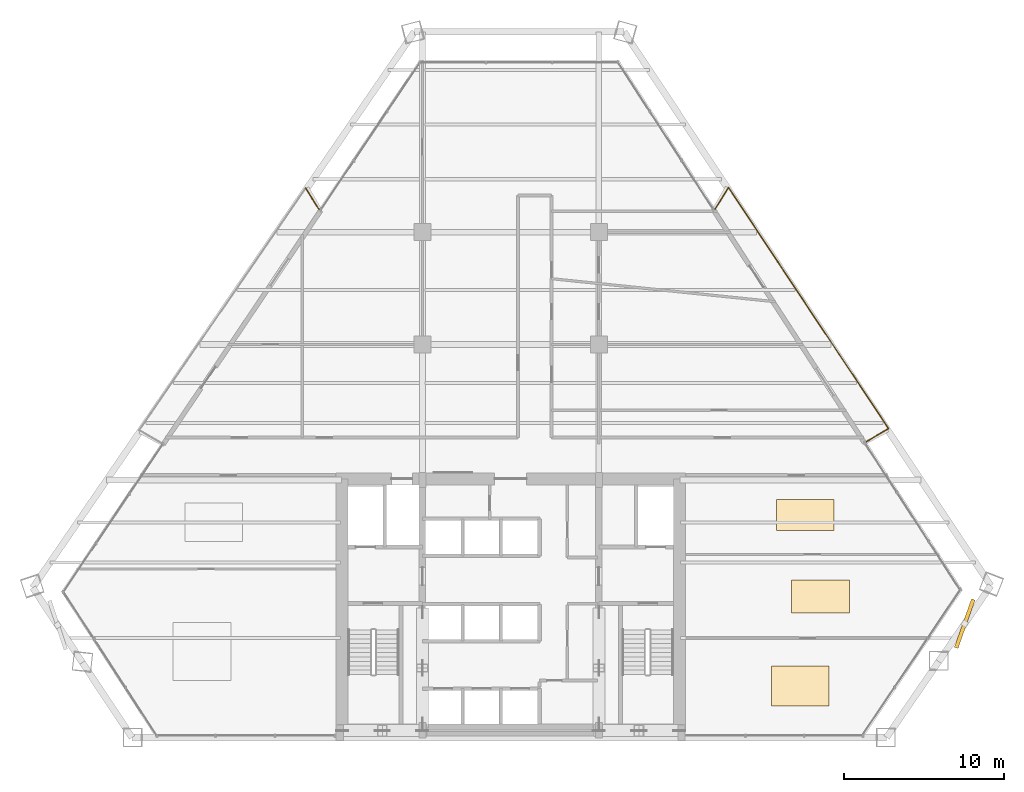
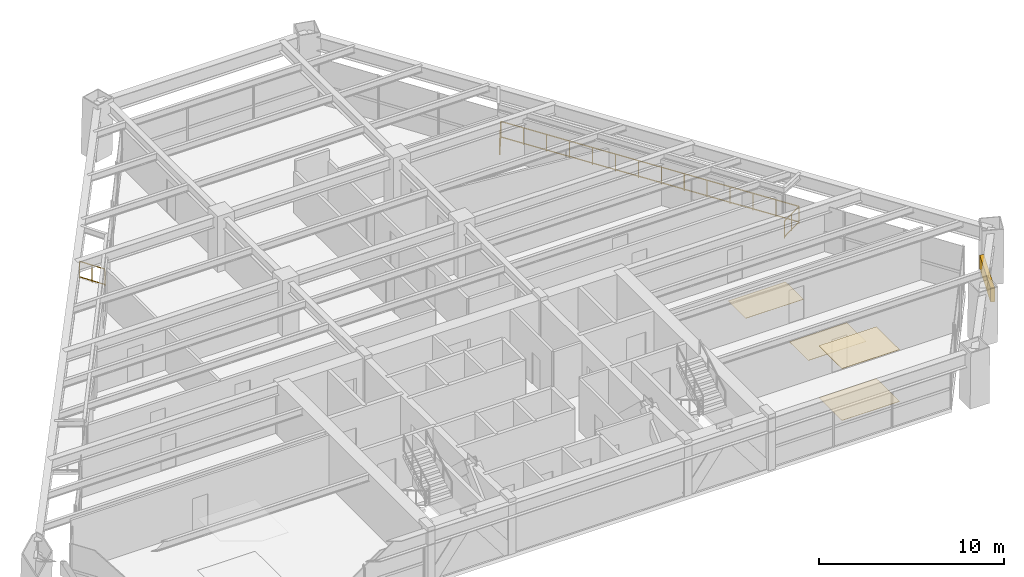
# One storey, part 14 of 14: 4 coverings, 4 railings, 1 shading device.
"""IFC4 building model written with IfcOpenShell, lengths in metres."""

import ifcopenshell
import ifcopenshell.guid

model = None  # the IFC model being written
_history = None  # IfcOwnerHistory: only IFC2X3 demands one
_inside = {}  # id of a spatial element -> (the spatial element, [elements in it])
_under = {}  # id of a project, library or spatial element -> (it, [spatial elements below it])
_declared = {}  # id of a project -> (the project, [libraries it declares])
_typed = {}  # id of a type object -> (the type object, [elements of that type])
_made_of = {}  # id of a material, layer set ... -> (it, [elements and type objects made of it])


def new_model(schema):
    """Start an empty IFC model of exactly this schema.

    Asked for "IFC4X3", IfcOpenShell would pick the latest addendum, in which some entities
    have other attributes; the version numbers below select the first issue.
    IFC2X3 requires an IfcOwnerHistory on every rooted entity: one is made here for all.
    """
    global model, _history
    if schema == "IFC4X3":
        model = ifcopenshell.file(schema_version=(4, 3, 0, 0))
    else:
        model = ifcopenshell.file(schema=schema)
    _inside.clear()
    _under.clear()
    _declared.clear()
    _typed.clear()
    _made_of.clear()
    _history = None
    if model.schema == "IFC2X3":
        org = make("IfcOrganization", Name="unknown")
        user = make(
            "IfcPersonAndOrganization",
            ThePerson=make("IfcPerson", FamilyName="unknown"),
            TheOrganization=org,
        )
        app = make(
            "IfcApplication",
            ApplicationDeveloper=org,
            Version="unknown",
            ApplicationFullName="unknown",
            ApplicationIdentifier="unknown",
        )
        _history = make(
            "IfcOwnerHistory",
            OwningUser=user,
            OwningApplication=app,
            ChangeAction="ADDED",
            CreationDate=0,
        )
    return model


def make(cls, **values):
    """One entity of the class cls with the attributes given. An attribute that is None is left unset."""
    return model.create_entity(
        cls, **{name: value for name, value in values.items() if value is not None}
    )


def rooted(cls, **values):
    """An entity with a GlobalId (a new one), such as an element, a storey or a relation."""
    return make(cls, GlobalId=ifcopenshell.guid.new(), OwnerHistory=_history, **values)


def si_unit(unit_type, name, prefix=None):
    """IfcSIUnit, for example si_unit("LENGTHUNIT", "METRE", prefix="MILLI")."""
    return make("IfcSIUnit", UnitType=unit_type, Prefix=prefix, Name=name)


def assignment(units):
    """IfcUnitAssignment: the units of a project."""
    return None if units is None else make("IfcUnitAssignment", Units=units)


def point(xyz):
    """IfcCartesianPoint."""
    return None if xyz is None else make("IfcCartesianPoint", Coordinates=xyz)


def direction(xyz):
    """IfcDirection."""
    return None if xyz is None else make("IfcDirection", DirectionRatios=xyz)


def frame(location, z_axis=None, x_axis=None):
    """IfcAxis2Placement3D, a coordinate frame: its origin and axes. An axis left out is left unset."""
    return make(
        "IfcAxis2Placement3D",
        Location=point(location),
        Axis=direction(z_axis),
        RefDirection=direction(x_axis),
    )


def frame_2d(location, x_axis=None):
    """IfcAxis2Placement2D, a coordinate frame in the plane: its origin and x axis."""
    return make(
        "IfcAxis2Placement2D", Location=point(location), RefDirection=direction(x_axis)
    )


def origin():
    """The frame at (0, 0, 0) with its axes left unset."""
    return frame((0.0, 0.0, 0.0))


def origin_2d():
    """The frame at (0, 0) in the plane with its x axis left unset."""
    return frame_2d((0.0, 0.0))


def place(relative_to, where):
    """IfcLocalPlacement: puts the frame where relative to a parent placement (None: the world)."""
    return make(
        "IfcLocalPlacement", PlacementRelTo=relative_to, RelativePlacement=where
    )


def context(
    kind, dimensions, precision=None, world=None, true_north=None, identifier=None
):
    """IfcGeometricRepresentationContext, for example the 3D "Model" context."""
    return make(
        "IfcGeometricRepresentationContext",
        ContextIdentifier=identifier,
        ContextType=kind,
        CoordinateSpaceDimension=dimensions,
        Precision=precision,
        WorldCoordinateSystem=world,
        TrueNorth=true_north,
    )


def subcontext(parent, identifier, kind, view, scale=None):
    """IfcGeometricRepresentationSubContext, for example "Body" below "Model"."""
    return make(
        "IfcGeometricRepresentationSubContext",
        ContextIdentifier=identifier,
        ContextType=kind,
        ParentContext=parent,
        TargetScale=scale,
        TargetView=view,
    )


def project(units=None, contexts=None):
    """IfcProject with its units and contexts."""
    return rooted(
        "IfcProject",
        Name="project",
        RepresentationContexts=contexts,
        UnitsInContext=assignment(units),
    )


def spatial(cls, under=None, at=None, **own):
    """A site, building, storey or space (cls), placed at a placement, below another one or the project."""
    s = rooted(cls, ObjectPlacement=at, **own)
    if under is not None:
        _under.setdefault(under.id(), (under, []))[1].append(s)
    return s


def profile(cls, at=None, kind="AREA", **sizes):
    """A parametric profile (cls). Its sizes go by their IFC names, for example OverallWidth=200.0."""
    return make(cls, ProfileType=kind, Position=at, **sizes)


def rectangle(**sizes):
    """IfcRectangleProfileDef."""
    return profile("IfcRectangleProfileDef", **sizes)


def extrude(swept, where, along, depth):
    """IfcExtrudedAreaSolid: the profile swept, set in the frame where, extruded along a direction by depth."""
    return make(
        "IfcExtrudedAreaSolid",
        SweptArea=swept,
        Position=where,
        ExtrudedDirection=direction(along),
        Depth=depth,
    )


def shape(context_of_items, identifier, shape_type, items):
    """IfcShapeRepresentation: the items that make up one representation, for example the "Body"."""
    return make(
        "IfcShapeRepresentation",
        ContextOfItems=context_of_items,
        RepresentationIdentifier=identifier,
        RepresentationType=shape_type,
        Items=items,
    )


def source(mapping_origin, context_of_items, identifier, shape_type, items):
    """IfcRepresentationMap: a shape defined once, which mapped items show again and again."""
    return make(
        "IfcRepresentationMap",
        MappingOrigin=mapping_origin,
        MappedRepresentation=shape(context_of_items, identifier, shape_type, items),
    )


def transform(
    local_origin,
    x_axis=None,
    y_axis=None,
    z_axis=None,
    scale=None,
    scale2=None,
    scale3=None,
    uniform=True,
):
    """IfcCartesianTransformationOperator3D, or its non-uniform kind. x_axis, y_axis, z_axis: its Axis1, 2, 3."""
    if uniform:
        return make(
            "IfcCartesianTransformationOperator3D",
            Axis1=direction(x_axis),
            Axis2=direction(y_axis),
            LocalOrigin=point(local_origin),
            Scale=scale,
            Axis3=direction(z_axis),
        )
    return make(
        "IfcCartesianTransformationOperator3DnonUniform",
        Axis1=direction(x_axis),
        Axis2=direction(y_axis),
        LocalOrigin=point(local_origin),
        Scale=scale,
        Axis3=direction(z_axis),
        Scale2=scale2,
        Scale3=scale3,
    )


def mapped(mapping_source, mapping_target):
    """IfcMappedItem: shows the shape of a source again, moved by a transform."""
    return make(
        "IfcMappedItem", MappingSource=mapping_source, MappingTarget=mapping_target
    )


def material(Name=None, Category=None):
    """IfcMaterial."""
    return make("IfcMaterial", Name=Name, Category=Category)


def layer(
    of_material, thickness, ventilated=None, Name=None, Category=None, Priority=None
):
    """IfcMaterialLayer: one layer of a wall or slab, of a material (None: an air gap)."""
    return make(
        "IfcMaterialLayer",
        Material=of_material,
        LayerThickness=thickness,
        IsVentilated=ventilated,
        Name=Name,
        Category=Category,
        Priority=Priority,
    )


def layer_set(layers, Name=None):
    """IfcMaterialLayerSet."""
    return make("IfcMaterialLayerSet", MaterialLayers=layers, LayerSetName=Name)


def made_of(thing, what):
    """Note that an element or type object is made of a material, layer set ...; save() writes the relation."""
    if what is not None:
        _made_of.setdefault(what.id(), (what, []))[1].append(thing)
    return thing


def type_object(cls, material=None, **own):
    """A type object (cls), such as IfcWallType, which elements share."""
    return made_of(rooted(cls, **own), material)


def type_shapes(of_type, sources):
    """Give a type object the sources (RepresentationMaps) that its elements show as mapped items."""
    of_type.RepresentationMaps = sources


def element(
    cls,
    number,
    at=None,
    inside=None,
    cuts=None,
    type_object=None,
    material=None,
    context=None,
    identifier="Body",
    shape_type=None,
    held_by="IfcProductDefinitionShape",
    body=None,
    shapes=None,
    **own,
):
    """One element of the class cls, such as IfcWall. Its Tag is "e" and its number.

    at: its placement. inside: the storey or other place that contains it. cuts: it is an
    opening in that element (IfcRelVoidsElement). A single representation is given by context,
    identifier, shape_type and body (its items); several are given by shapes. held_by: the class
    of the entity that holds the representations. save() writes the other relations.
    """
    e = rooted(cls, Tag="e%d" % number, ObjectPlacement=at, **own)
    if body is not None:
        shapes = [shape(context, identifier, shape_type, body)]
    if shapes is not None:
        e.Representation = make(held_by, Representations=shapes)
    if inside is not None:
        _inside.setdefault(inside.id(), (inside, []))[1].append(e)
    if cuts is not None:
        rooted(
            "IfcRelVoidsElement", RelatingBuildingElement=cuts, RelatedOpeningElement=e
        )
    if type_object is not None:
        _typed.setdefault(type_object.id(), (type_object, []))[1].append(e)
    return made_of(e, material)


def aggregate(whole, parts):
    """IfcRelAggregates: a whole, such as a stair, and the parts it consists of."""
    return rooted("IfcRelAggregates", RelatingObject=whole, RelatedObjects=parts)


def save(model, path):
    """Write the relations noted so far, then the file.

    IfcRelAggregates (storeys below a building ...), IfcRelContainedInSpatialStructure (elements
    in a storey), IfcRelDefinesByType, IfcRelAssociatesMaterial and IfcRelDeclares: one each for
    every whole, place, type object, material and project.
    """
    for whole, parts in _under.values():
        aggregate(whole, parts)
    for where, things in _inside.values():
        rooted(
            "IfcRelContainedInSpatialStructure",
            RelatedElements=things,
            RelatingStructure=where,
        )
    for kind, things in _typed.values():
        rooted("IfcRelDefinesByType", RelatedObjects=things, RelatingType=kind)
    for what, things in _made_of.values():
        rooted("IfcRelAssociatesMaterial", RelatedObjects=things, RelatingMaterial=what)
    for by, libraries in _declared.values():
        rooted("IfcRelDeclares", RelatingContext=by, RelatedDefinitions=libraries)
    model.write(path)


model = new_model("IFC4")

# Units and contexts
model_context = context("Model", 3, precision=1e-05, world=origin(), true_north=direction((0.0, 1.0)))
body_context = subcontext(model_context, "Body", "Model", "MODEL_VIEW")
ifc_project = project(units=[si_unit("LENGTHUNIT", "METRE"), si_unit("AREAUNIT", "SQUARE_METRE"), si_unit("VOLUMEUNIT", "CUBIC_METRE"), si_unit("PLANEANGLEUNIT", "RADIAN"), si_unit("MASSUNIT", "GRAM", prefix="KILO")], contexts=[model_context])

# Site, building, storey
site_placement = place(None, origin())
site = spatial("IfcSite", under=ifc_project, at=site_placement, CompositionType="ELEMENT")
building_placement = place(site_placement, origin())
building = spatial("IfcBuilding", under=site, at=building_placement, Name="Varnakhor Terracotta Tower", CompositionType="ELEMENT")
storey_placement = place(building_placement, frame((0.0, 0.0, 91.39990234375)))
storey = spatial("IfcBuildingStorey", under=building, at=storey_placement, Name="L22", CompositionType="ELEMENT", Elevation=91.39990234375)

# Railings
ifc_material_1 = material(Name="Stainless Steel & Laminated Glass Guardrail", Category="steel")
railing_type = type_object("IfcRailingType", Name="RLG-LOGGIA-GUARD-1150", PredefinedType="GUARDRAIL", material=ifc_material_1)
railing_1_placement = place(storey_placement, frame((12.757568359375, 32.960693359375, 0.0)))
element("IfcRailing", 1, at=railing_1_placement, inside=storey, type_object=railing_type, Name="L22 E Loggia Glass Guard 1", PredefinedType="GUARDRAIL", context=body_context, shape_type="SweptSolid", body=[
    extrude(rectangle(XDim=0.048095703125, YDim=0.048095703125, at=origin_2d()), frame((0.0, 0.0, 1.1259765625), z_axis=(0.529914332127, 0.848051178058, 0.0), x_axis=(-0.848051178058, 0.529914332127, 0.0)), (0.0, 0.0, 1.0), 1.556396484375),
    extrude(rectangle(XDim=0.048095703125, YDim=0.048095703125, at=origin_2d()), frame((0.0, 0.0, 0.10009765625), z_axis=(0.529914332127, 0.848051178058, 0.0), x_axis=(-0.848051178058, 0.529914332127, 0.0)), (0.0, 0.0, 1.0), 1.556396484375),
    extrude(rectangle(XDim=0.0419921875, YDim=0.0419921875, at=origin_2d()), origin(), (0.0, 0.0, 1.0), 1.101806640625),
    extrude(rectangle(XDim=0.0419921875, YDim=0.0419921875, at=origin_2d()), frame((0.412353515625, 0.659912109375, 0.0)), (0.0, 0.0, 1.0), 1.101806640625),
    extrude(rectangle(XDim=0.0419921875, YDim=0.0419921875, at=origin_2d()), frame((0.82470703125, 1.31982421875, 0.0)), (0.0, 0.0, 1.0), 1.101806640625),
])
railing_2_placement = place(storey_placement, frame((13.582275390625, 34.280517578125, 0.0)))
element("IfcRailing", 2, at=railing_2_placement, inside=storey, type_object=railing_type, Name="L22 E Loggia Glass Guard 2", PredefinedType="GUARDRAIL", context=body_context, shape_type="SweptSolid", body=[
    extrude(rectangle(XDim=0.048095703125, YDim=0.048095703125, at=origin_2d()), frame((0.0, 0.0, 1.1259765625), z_axis=(0.552927646461, -0.833229270837, 0.0), x_axis=(0.833229270837, 0.552927646461, 0.0)), (0.0, 0.0, 1.0), 18.03466796875),
    extrude(rectangle(XDim=0.048095703125, YDim=0.048095703125, at=origin_2d()), frame((0.0, 0.0, 0.10009765625), z_axis=(0.552927646461, -0.833229270837, 0.0), x_axis=(0.833229270837, 0.552927646461, 0.0)), (0.0, 0.0, 1.0), 18.03466796875),
    extrude(rectangle(XDim=0.0419921875, YDim=0.0419921875, at=origin_2d()), origin(), (0.0, 0.0, 1.0), 1.101806640625),
    extrude(rectangle(XDim=0.0419921875, YDim=0.0419921875, at=origin_2d()), frame((0.76708984375, -1.156005859375, 0.0)), (0.0, 0.0, 1.0), 1.101806640625),
    extrude(rectangle(XDim=0.0419921875, YDim=0.0419921875, at=origin_2d()), frame((1.5341796875, -2.311767578125, 0.0)), (0.0, 0.0, 1.0), 1.101806640625),
    extrude(rectangle(XDim=0.0419921875, YDim=0.0419921875, at=origin_2d()), frame((2.30126953125, -3.4677734375, 0.0)), (0.0, 0.0, 1.0), 1.101806640625),
    extrude(rectangle(XDim=0.0419921875, YDim=0.0419921875, at=origin_2d()), frame((3.068359375, -4.623779296875, 0.0)), (0.0, 0.0, 1.0), 1.101806640625),
    extrude(rectangle(XDim=0.0419921875, YDim=0.0419921875, at=origin_2d()), frame((3.83544921875, -5.779541015625, 0.0)), (0.0, 0.0, 1.0), 1.101806640625),
    extrude(rectangle(XDim=0.0419921875, YDim=0.0419921875, at=origin_2d()), frame((4.6025390625, -6.935546875, 0.0)), (0.0, 0.0, 1.0), 1.101806640625),
    extrude(rectangle(XDim=0.0419921875, YDim=0.0419921875, at=origin_2d()), frame((5.369384765625, -8.091552734375, 0.0)), (0.0, 0.0, 1.0), 1.101806640625),
    extrude(rectangle(XDim=0.0419921875, YDim=0.0419921875, at=origin_2d()), frame((6.136474609375, -9.24755859375, 0.0)), (0.0, 0.0, 1.0), 1.101806640625),
    extrude(rectangle(XDim=0.0419921875, YDim=0.0419921875, at=origin_2d()), frame((6.903564453125, -10.4033203125, 0.0)), (0.0, 0.0, 1.0), 1.101806640625),
    extrude(rectangle(XDim=0.0419921875, YDim=0.0419921875, at=origin_2d()), frame((7.670654296875, -11.559326171875, 0.0)), (0.0, 0.0, 1.0), 1.101806640625),
    extrude(rectangle(XDim=0.0419921875, YDim=0.0419921875, at=origin_2d()), frame((8.437744140625, -12.71533203125, 0.0)), (0.0, 0.0, 1.0), 1.101806640625),
    extrude(rectangle(XDim=0.0419921875, YDim=0.0419921875, at=origin_2d()), frame((9.204833984375, -13.87109375, 0.0)), (0.0, 0.0, 1.0), 1.101806640625),
    extrude(rectangle(XDim=0.0419921875, YDim=0.0419921875, at=origin_2d()), frame((9.971923828125, -15.027099609375, 0.0)), (0.0, 0.0, 1.0), 1.101806640625),
])
railing_3_placement = place(storey_placement, frame((23.55419921875, 19.25341796875, 0.0)))
element("IfcRailing", 3, at=railing_3_placement, inside=storey, type_object=railing_type, Name="L22 E Loggia Glass Guard 3", PredefinedType="GUARDRAIL", context=body_context, shape_type="SweptSolid", body=[
    extrude(rectangle(XDim=0.048095703125, YDim=0.048095703125, at=origin_2d()), frame((0.0, 0.0, 1.1259765625), z_axis=(-0.860573953054, -0.509325506258, 0.0), x_axis=(0.509325506258, -0.860573953054, 0.0)), (0.0, 0.0, 1.0), 1.60009765625),
    extrude(rectangle(XDim=0.048095703125, YDim=0.048095703125, at=origin_2d()), frame((0.0, 0.0, 0.10009765625), z_axis=(-0.860573953054, -0.509325506258, 0.0), x_axis=(0.509325506258, -0.860573953054, 0.0)), (0.0, 0.0, 1.0), 1.60009765625),
    extrude(rectangle(XDim=0.0419921875, YDim=0.0419921875, at=origin_2d()), origin(), (0.0, 0.0, 1.0), 1.101806640625),
    extrude(rectangle(XDim=0.0419921875, YDim=0.0419921875, at=origin_2d()), frame((-0.6884765625, -0.407470703125, 0.0)), (0.0, 0.0, 1.0), 1.101806640625),
    extrude(rectangle(XDim=0.0419921875, YDim=0.0419921875, at=origin_2d()), frame((-1.376953125, -0.81494140625, 0.0)), (0.0, 0.0, 1.0), 1.101806640625),
])
railing_4_placement = place(storey_placement, frame((-12.780029296875, 34.248046875, 0.0)))
element("IfcRailing", 4, at=railing_4_placement, inside=storey, type_object=railing_type, Name="L22 W Loggia Glass Guard 3", PredefinedType="GUARDRAIL", context=body_context, shape_type="SweptSolid", body=[
    extrude(rectangle(XDim=0.048095703125, YDim=0.048095703125, at=origin_2d()), frame((0.0, 0.0, 1.1259765625), z_axis=(0.531069666147, -0.847328159392, 0.0), x_axis=(0.847328159392, 0.531069666147, 0.0)), (0.0, 0.0, 1.0), 1.55712890625),
    extrude(rectangle(XDim=0.048095703125, YDim=0.048095703125, at=origin_2d()), frame((0.0, 0.0, 0.10009765625), z_axis=(0.531069666147, -0.847328159392, 0.0), x_axis=(0.847328159392, 0.531069666147, 0.0)), (0.0, 0.0, 1.0), 1.55712890625),
    extrude(rectangle(XDim=0.0419921875, YDim=0.0419921875, at=origin_2d()), origin(), (0.0, 0.0, 1.0), 1.101806640625),
    extrude(rectangle(XDim=0.0419921875, YDim=0.0419921875, at=origin_2d()), frame((0.41357421875, -0.65966796875, 0.0)), (0.0, 0.0, 1.0), 1.101806640625),
    extrude(rectangle(XDim=0.0419921875, YDim=0.0419921875, at=origin_2d()), frame((0.826904296875, -1.3193359375, 0.0)), (0.0, 0.0, 1.0), 1.101806640625),
])

# Shading device
ifc_material_2 = material(Name="Extruded Architectural Terracotta Screen", Category="masonry")
shading_device_type = type_object("IfcShadingDeviceType", Name="TERRACOTTA SOLAR SCREEN E", PredefinedType="USERDEFINED", material=ifc_material_2)
shared_shape_1 = source(origin(), body_context, "Body", "SweptSolid", [
    extrude(rectangle(XDim=3.199951171875, YDim=0.239990234375, at=origin_2d()), origin(), (0.0, 0.0, 1.0), 0.919921875),
])
type_shapes(shading_device_type, [shared_shape_1])
shading_device_placement = place(storey_placement, frame((28.309326171875, 7.096435546875, 1.6181640625), z_axis=(0.0, 0.0, 1.0), x_axis=(0.333346157857, 0.94280450733, 0.0)))
element("IfcShadingDevice", 5, at=shading_device_placement, inside=storey, type_object=shading_device_type, Name="L22 E Terracotta Solar Screen", ObjectType="SCREEN", PredefinedType="USERDEFINED", context=body_context, shape_type="MappedRepresentation", body=[
    mapped(shared_shape_1, transform((0.0, 0.0, 0.0), scale=1.0)),
])

# Coverings
ifc_material_3 = material(Name="Honed Riyadh Limestone Flooring", Category="masonry")
ifc_layer_1 = layer(ifc_material_3, 0.030029296875, Name="Honed Riyadh Limestone Flooring")
ifc_layer_set_1 = layer_set([ifc_layer_1], Name="Honed Riyadh Limestone Flooring")
covering_type_1 = type_object("IfcCoveringType", Name="COV-FLOOR-LIMESTONE", PredefinedType="FLOORING", material=ifc_layer_set_1)
shared_shape_2 = source(origin(), body_context, "Body", "SweptSolid", [
    extrude(rectangle(XDim=3.60009765625, YDim=2.4990234375, at=origin_2d()), origin(), (0.0, 0.0, 1.0), 0.02001953125),
])
covering_1_placement = place(storey_placement, frame((18.055908203125, 3.201904296875, 0.0), z_axis=(0.0, 0.0, 1.0), x_axis=(1.0, 0.0, 0.0)))
element("IfcCovering", 6, at=covering_1_placement, inside=storey, type_object=covering_type_1, Name="L22 Honed Stone Flooring 1", PredefinedType="FLOORING", context=body_context, shape_type="MappedRepresentation", body=[
    mapped(shared_shape_2, transform((0.0, 0.0, 0.0), scale=1.0)),
])
ifc_material_4 = material(Name="Perforated Acoustic Mineral-Fibre Ceiling", Category="gypsum")
ifc_layer_2 = layer(ifc_material_4, 0.02490234375, Name="Perforated Acoustic Mineral-Fibre Ceiling")
ifc_layer_set_2 = layer_set([ifc_layer_2], Name="Perforated Acoustic Mineral-Fibre Ceiling")
covering_type_2 = type_object("IfcCoveringType", Name="COV-CEILING-ACOUSTIC", PredefinedType="CEILING", material=ifc_layer_set_2)
shared_shape_3 = source(origin(), body_context, "Body", "SweptSolid", [
    extrude(rectangle(XDim=3.60009765625, YDim=2.4990234375, at=origin_2d()), origin(), (0.0, 0.0, 1.0), 0.02392578125),
])
covering_2_placement = place(storey_placement, frame((18.055908203125, 3.201904296875, 3.426025390625), z_axis=(0.0, 0.0, 1.0), x_axis=(1.0, 0.0, 0.0)))
element("IfcCovering", 7, at=covering_2_placement, inside=storey, type_object=covering_type_2, Name="L22 Acoustic Ceiling Panel 1", PredefinedType="CEILING", context=body_context, shape_type="MappedRepresentation", body=[
    mapped(shared_shape_3, transform((0.0, 0.0, 0.0), scale=1.0)),
])
shared_shape_4 = source(origin(), body_context, "Body", "SweptSolid", [
    extrude(rectangle(XDim=3.60009765625, YDim=2.06103515625, at=origin_2d()), origin(), (0.0, 0.0, 1.0), 0.02001953125),
])
covering_3_placement = place(storey_placement, frame((19.31298828125, 8.800048828125, 0.0), z_axis=(0.0, 0.0, 1.0), x_axis=(1.0, 0.0, 0.0)))
element("IfcCovering", 8, at=covering_3_placement, inside=storey, type_object=covering_type_1, Name="L22 Honed Stone Flooring 3", PredefinedType="FLOORING", context=body_context, shape_type="MappedRepresentation", body=[
    mapped(shared_shape_4, transform((0.0, 0.0, 0.0), scale=1.0)),
])
shared_shape_5 = source(origin(), body_context, "Body", "SweptSolid", [
    extrude(rectangle(XDim=3.60009765625, YDim=1.912109375, at=origin_2d()), origin(), (0.0, 0.0, 1.0), 0.02001953125),
])
covering_4_placement = place(storey_placement, frame((18.366943359375, 13.864013671875, 0.0), z_axis=(0.0, 0.0, 1.0), x_axis=(1.0, 0.0, 0.0)))
element("IfcCovering", 9, at=covering_4_placement, inside=storey, type_object=covering_type_1, Name="L22 Honed Stone Flooring 5", PredefinedType="FLOORING", context=body_context, shape_type="MappedRepresentation", body=[
    mapped(shared_shape_5, transform((0.0, 0.0, 0.0), scale=1.0)),
])

save(model, "model.ifc")
